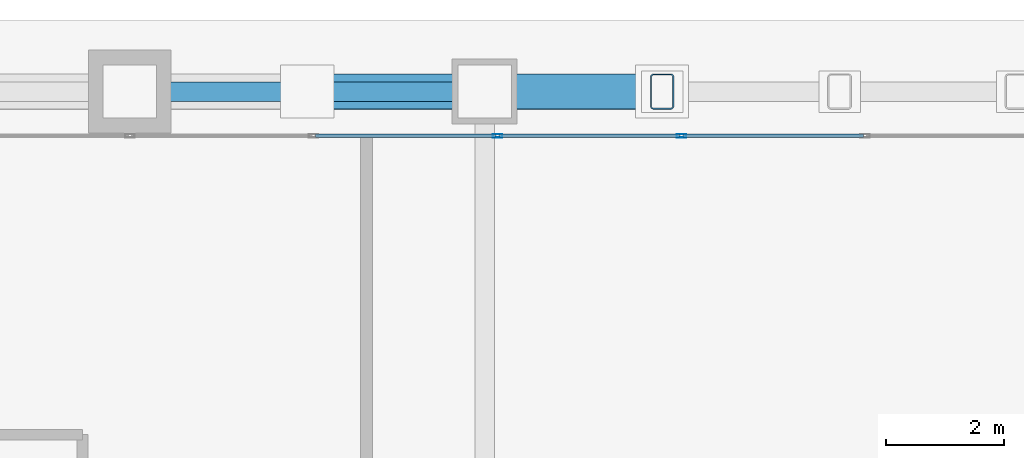
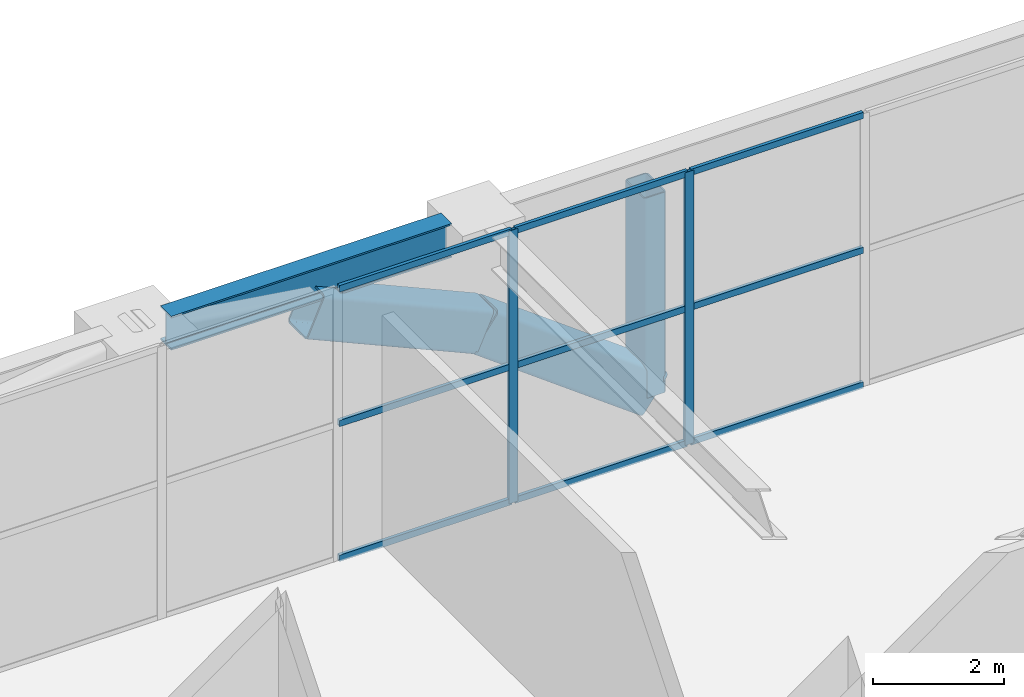
# One storey, part 18 of 32: 14 members, 1 beam, 1 element without a shape of its own.
"""IFC4 building model written with IfcOpenShell, lengths in metres."""

from ifc_helpers import new_model, si_unit, direction, frame, origin, origin_2d, place, context, subcontext, project, spatial, hollow_rectangle, i_section, extrude, material, layer, layer_set, material_profile, profile_set, type_object, element, aggregate, save


model = new_model("IFC4")

# Units and contexts
model_context = context("Model", 3, precision=1e-05, world=origin(), true_north=direction((0.0, 1.0)))
body_context = subcontext(model_context, "Body", "Model", "MODEL_VIEW")
ifc_project = project(units=[si_unit("LENGTHUNIT", "METRE"), si_unit("AREAUNIT", "SQUARE_METRE"), si_unit("VOLUMEUNIT", "CUBIC_METRE"), si_unit("PLANEANGLEUNIT", "RADIAN"), si_unit("MASSUNIT", "GRAM", prefix="KILO")], contexts=[model_context])

# Site, building, storey
site_placement = place(None, origin())
site = spatial("IfcSite", under=ifc_project, at=site_placement, CompositionType="ELEMENT")
building_placement = place(site_placement, origin())
building = spatial("IfcBuilding", under=site, at=building_placement, Name="Sarneth Arch Tower", CompositionType="ELEMENT")
storey_placement = place(building_placement, frame((0.0, 0.0, 11.39990234375)))
storey = spatial("IfcBuildingStorey", under=building, at=storey_placement, Name="L02", CompositionType="ELEMENT", Elevation=11.39990234375)

# Beam
ifc_material_1 = material(Name="Steel S355", Category="steel")
ifc_material_profile_1 = material_profile(ifc_material_1, i_section(OverallWidth=0.3291015625, OverallDepth=0.635009765625, WebThickness=0.017822265625, FlangeThickness=0.031005859375, FilletRadius=0.01904296875, at=origin_2d()), Name="W610x241")
ifc_profile_set_1 = profile_set([ifc_material_profile_1], Name="Steel S355")
beam_type = type_object("IfcBeamType", Name="BM-POD-610", PredefinedType="BEAM", material=ifc_profile_set_1)
beam_placement = place(storey_placement, frame((48.52001953125, 74.800048828125, 4.78271484375), z_axis=(1.0, 0.0, 0.0), x_axis=(0.0, 1.0, 0.0)))
element("IfcBeam", 1, at=beam_placement, inside=storey, type_object=beam_type, Name="L02 Podium PN girder 5", PredefinedType="BEAM", context=body_context, shape_type="SweptSolid", body=[
    extrude(i_section(OverallWidth=0.3291015625, OverallDepth=0.635009765625, WebThickness=0.017822265625, FlangeThickness=0.031005859375, FilletRadius=0.01904296875, at=origin_2d()), origin(), (0.0, 0.0, 1.0), 4.9599609375),
])

# Curtain wall, members
ifc_material_2 = material(Name="Anodised aluminium Type AA25 and solar-control low-e laminated IGU", Category="aluminium")
ifc_layer = layer(ifc_material_2, 0.199951171875)
ifc_layer_set = layer_set([ifc_layer], Name="Anodised aluminium Type AA25 and solar-control low-e laminated IGU")
curtain_wall_type = type_object("IfcCurtainWallType", Name="CW-ARCH-GLAZE", PredefinedType="NOTDEFINED", material=ifc_layer_set)
curtain_wall_placement = place(storey_placement, origin())
curtain_wall = element("IfcCurtainWall", 2, at=curtain_wall_placement, inside=storey, type_object=curtain_wall_type, Name="L02 North parabolic arch portal curtain wall", PredefinedType="NOTDEFINED")
ifc_material_3 = material(Name="Anodised Aluminium 6063-T6", Category="aluminium")
ifc_material_profile_2 = material_profile(ifc_material_3, hollow_rectangle(XDim=0.06005859375, YDim=0.159912109375, WallThickness=0.00390625, at=origin_2d()), Name="AL-MULL-160x60x4")
ifc_profile_set_2 = profile_set([ifc_material_profile_2], Name="Anodised Aluminium 6063-T6")
member_type_1 = type_object("IfcMemberType", Name="CW-MULLION", PredefinedType="MULLION", material=ifc_profile_set_2)
member_1_placement = place(storey_placement, frame((57.324951171875, 74.050048828125, 0.0), z_axis=(0.0, 0.0, 1.0), x_axis=(0.0, -1.0, 0.0)))
member_1 = element("IfcMember", 3, at=member_1_placement, type_object=member_type_1, Name="CW-SYS-2 mullion 4", PredefinedType="MULLION", context=body_context, shape_type="SweptSolid", body=[
    extrude(hollow_rectangle(XDim=0.06005859375, YDim=0.159912109375, WallThickness=0.00390625, at=origin_2d()), origin(), (0.0, 0.0, 1.0), 5.10009765625),
])
member_2_placement = place(storey_placement, frame((54.216552734375, 74.050048828125, 0.0), z_axis=(0.0, 0.0, 1.0), x_axis=(0.0, -1.0, 0.0)))
member_2 = element("IfcMember", 4, at=member_2_placement, type_object=member_type_1, Name="CW-SYS-2 mullion 5", PredefinedType="MULLION", context=body_context, shape_type="SweptSolid", body=[
    extrude(hollow_rectangle(XDim=0.06005859375, YDim=0.159912109375, WallThickness=0.00390625, at=origin_2d()), origin(), (0.0, 0.0, 1.0), 5.10009765625),
])
ifc_material_4 = material(Name="Anodised Aluminium 6063-T6", Category="aluminium")
ifc_material_profile_3 = material_profile(ifc_material_4, hollow_rectangle(XDim=0.06005859375, YDim=0.1201171875, WallThickness=0.00390625, at=origin_2d()), Name="AL-TRAN-120x60x4")
ifc_profile_set_3 = profile_set([ifc_material_profile_3], Name="Anodised Aluminium 6063-T6")
member_type_2 = type_object("IfcMemberType", Name="CW-TRANSOM", PredefinedType="USERDEFINED", material=ifc_profile_set_3)
member_3_placement = place(storey_placement, frame((60.4033203125, 74.050048828125, 0.030029296875), z_axis=(-1.0, 0.0, 0.0), x_axis=(0.0, -1.0, 0.0)))
member_3 = element("IfcMember", 5, at=member_3_placement, type_object=member_type_2, Name="CW-SYS-2 transom 3.1", ObjectType="TRANSOM", PredefinedType="USERDEFINED", context=body_context, shape_type="SweptSolid", body=[
    extrude(hollow_rectangle(XDim=0.06005859375, YDim=0.1201171875, WallThickness=0.00390625, at=origin_2d()), origin(), (0.0, 0.0, 1.0), 3.04833984375),
])
member_4_placement = place(storey_placement, frame((60.4033203125, 74.050048828125, 2.550048828125), z_axis=(-1.0, 0.0, 0.0), x_axis=(0.0, -1.0, 0.0)))
member_4 = element("IfcMember", 6, at=member_4_placement, type_object=member_type_2, Name="CW-SYS-2 transom 3.2", ObjectType="TRANSOM", PredefinedType="USERDEFINED", context=body_context, shape_type="SweptSolid", body=[
    extrude(hollow_rectangle(XDim=0.06005859375, YDim=0.1201171875, WallThickness=0.00390625, at=origin_2d()), origin(), (0.0, 0.0, 1.0), 3.04833984375),
])
member_5_placement = place(storey_placement, frame((60.4033203125, 74.050048828125, 5.070068359375), z_axis=(-1.0, 0.0, 0.0), x_axis=(0.0, -1.0, 0.0)))
member_5 = element("IfcMember", 7, at=member_5_placement, type_object=member_type_2, Name="CW-SYS-2 transom 3.3", ObjectType="TRANSOM", PredefinedType="USERDEFINED", context=body_context, shape_type="SweptSolid", body=[
    extrude(hollow_rectangle(XDim=0.06005859375, YDim=0.1201171875, WallThickness=0.00390625, at=origin_2d()), origin(), (0.0, 0.0, 1.0), 3.04833984375),
])
member_6_placement = place(storey_placement, frame((57.294921875, 74.050048828125, 0.030029296875), z_axis=(-1.0, 0.0, 0.0), x_axis=(0.0, -1.0, 0.0)))
member_6 = element("IfcMember", 8, at=member_6_placement, type_object=member_type_2, Name="CW-SYS-2 transom 4.1", ObjectType="TRANSOM", PredefinedType="USERDEFINED", context=body_context, shape_type="SweptSolid", body=[
    extrude(hollow_rectangle(XDim=0.06005859375, YDim=0.1201171875, WallThickness=0.00390625, at=origin_2d()), origin(), (0.0, 0.0, 1.0), 3.04833984375),
])
member_7_placement = place(storey_placement, frame((57.294921875, 74.050048828125, 2.550048828125), z_axis=(-1.0, 0.0, 0.0), x_axis=(0.0, -1.0, 0.0)))
member_7 = element("IfcMember", 9, at=member_7_placement, type_object=member_type_2, Name="CW-SYS-2 transom 4.2", ObjectType="TRANSOM", PredefinedType="USERDEFINED", context=body_context, shape_type="SweptSolid", body=[
    extrude(hollow_rectangle(XDim=0.06005859375, YDim=0.1201171875, WallThickness=0.00390625, at=origin_2d()), origin(), (0.0, 0.0, 1.0), 3.04833984375),
])
member_8_placement = place(storey_placement, frame((57.294921875, 74.050048828125, 5.070068359375), z_axis=(-1.0, 0.0, 0.0), x_axis=(0.0, -1.0, 0.0)))
member_8 = element("IfcMember", 10, at=member_8_placement, type_object=member_type_2, Name="CW-SYS-2 transom 4.3", ObjectType="TRANSOM", PredefinedType="USERDEFINED", context=body_context, shape_type="SweptSolid", body=[
    extrude(hollow_rectangle(XDim=0.06005859375, YDim=0.1201171875, WallThickness=0.00390625, at=origin_2d()), origin(), (0.0, 0.0, 1.0), 3.04833984375),
])
member_9_placement = place(storey_placement, frame((54.186767578125, 74.050048828125, 0.030029296875), z_axis=(-1.0, 0.0, 0.0), x_axis=(0.0, -1.0, 0.0)))
member_9 = element("IfcMember", 11, at=member_9_placement, type_object=member_type_2, Name="CW-SYS-2 transom 5.1", ObjectType="TRANSOM", PredefinedType="USERDEFINED", context=body_context, shape_type="SweptSolid", body=[
    extrude(hollow_rectangle(XDim=0.06005859375, YDim=0.1201171875, WallThickness=0.00390625, at=origin_2d()), origin(), (0.0, 0.0, 1.0), 3.04833984375),
])
member_10_placement = place(storey_placement, frame((54.186767578125, 74.050048828125, 2.550048828125), z_axis=(-1.0, 0.0, 0.0), x_axis=(0.0, -1.0, 0.0)))
member_10 = element("IfcMember", 12, at=member_10_placement, type_object=member_type_2, Name="CW-SYS-2 transom 5.2", ObjectType="TRANSOM", PredefinedType="USERDEFINED", context=body_context, shape_type="SweptSolid", body=[
    extrude(hollow_rectangle(XDim=0.06005859375, YDim=0.1201171875, WallThickness=0.00390625, at=origin_2d()), origin(), (0.0, 0.0, 1.0), 3.04833984375),
])
member_11_placement = place(storey_placement, frame((54.186767578125, 74.050048828125, 5.070068359375), z_axis=(-1.0, 0.0, 0.0), x_axis=(0.0, -1.0, 0.0)))
member_11 = element("IfcMember", 13, at=member_11_placement, type_object=member_type_2, Name="CW-SYS-2 transom 5.3", ObjectType="TRANSOM", PredefinedType="USERDEFINED", context=body_context, shape_type="SweptSolid", body=[
    extrude(hollow_rectangle(XDim=0.06005859375, YDim=0.1201171875, WallThickness=0.00390625, at=origin_2d()), origin(), (0.0, 0.0, 1.0), 3.04833984375),
])
aggregate(curtain_wall, [member_1, member_2, member_3, member_4, member_5, member_6, member_7, member_8, member_9, member_10, member_11])

# Members
ifc_material_5 = material(Name="Steel S355", Category="steel")
ifc_material_profile_4 = material_profile(ifc_material_5, hollow_rectangle(XDim=0.60009765625, YDim=0.800048828125, WallThickness=0.028076171875, InnerFilletRadius=0.0419921875, OuterFilletRadius=0.070068359375, at=origin_2d()), Name="RHS800x600x28")
ifc_profile_set_4 = profile_set([ifc_material_profile_4], Name="Steel S355")
member_type_3 = type_object("IfcMemberType", Name="MEM-ARCH-CHORD", PredefinedType="CHORD", material=ifc_profile_set_4)
member_12_placement = place(storey_placement, frame((51.0, 74.800048828125, 4.28125), z_axis=(0.914069035587, 0.0, -0.405558624839), x_axis=(0.0, 1.0, 0.0)))
element("IfcMember", 14, at=member_12_placement, inside=storey, type_object=member_type_3, Name="Podium parabolic arch rib 6 segment 8", PredefinedType="CHORD", context=body_context, shape_type="SweptSolid", body=[
    extrude(hollow_rectangle(XDim=0.60009765625, YDim=0.800048828125, WallThickness=0.028076171875, InnerFilletRadius=0.0419921875, OuterFilletRadius=0.070068359375, at=origin_2d()), origin(), (0.0, 0.0, 1.0), 3.281982421875),
])
member_13_placement = place(storey_placement, frame((54.0, 74.800048828125, 2.9501953125), z_axis=(0.804002053977, 0.0, -0.594626519087), x_axis=(0.0, 1.0, 0.0)))
element("IfcMember", 15, at=member_13_placement, inside=storey, type_object=member_type_3, Name="Podium parabolic arch rib 6 segment 9", PredefinedType="CHORD", context=body_context, shape_type="SweptSolid", body=[
    extrude(hollow_rectangle(XDim=0.60009765625, YDim=0.800048828125, WallThickness=0.028076171875, InnerFilletRadius=0.0419921875, OuterFilletRadius=0.070068359375, at=origin_2d()), origin(), (0.0, 0.0, 1.0), 3.7314453125),
])
ifc_material_6 = material(Name="Steel S355", Category="steel")
ifc_material_profile_5 = material_profile(ifc_material_6, hollow_rectangle(XDim=0.39990234375, YDim=0.60009765625, WallThickness=0.02197265625, InnerFilletRadius=0.032958984375, OuterFilletRadius=0.054931640625, at=origin_2d()), Name="RHS600x400x22")
ifc_profile_set_5 = profile_set([ifc_material_profile_5], Name="Steel S355")
member_type_4 = type_object("IfcMemberType", Name="MEM-ARCH-WEB", PredefinedType="BRACE", material=ifc_profile_set_5)
member_14_placement = place(storey_placement, frame((57.0, 74.800048828125, 0.7314453125), z_axis=(0.0, 0.0, 1.0), x_axis=(1.0, 0.0, 0.0)))
element("IfcMember", 16, at=member_14_placement, inside=storey, type_object=member_type_4, Name="Podium arch spandrel post 6.9", PredefinedType="BRACE", context=body_context, shape_type="SweptSolid", body=[
    extrude(hollow_rectangle(XDim=0.39990234375, YDim=0.60009765625, WallThickness=0.02197265625, InnerFilletRadius=0.032958984375, OuterFilletRadius=0.054931640625, at=origin_2d()), origin(), (0.0, 0.0, 1.0), 3.74853515625),
])

save(model, "model.ifc")
